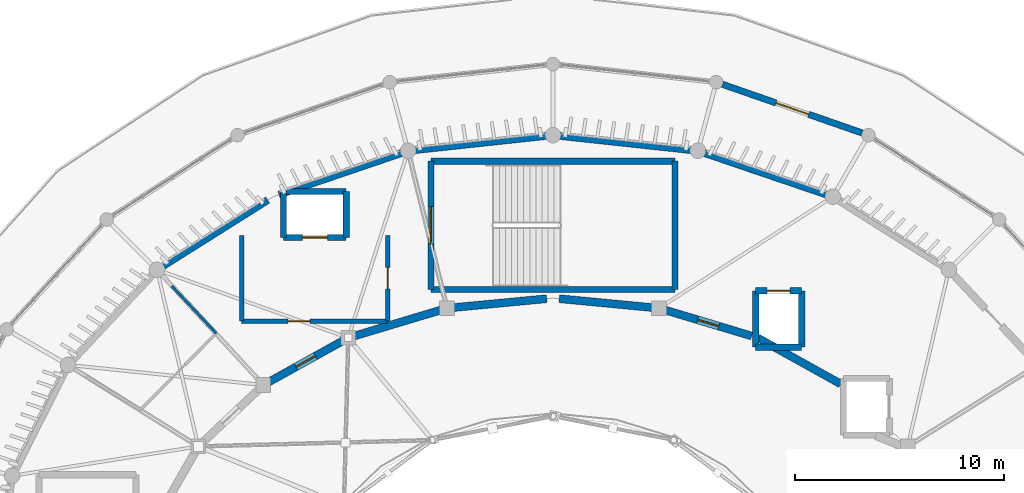
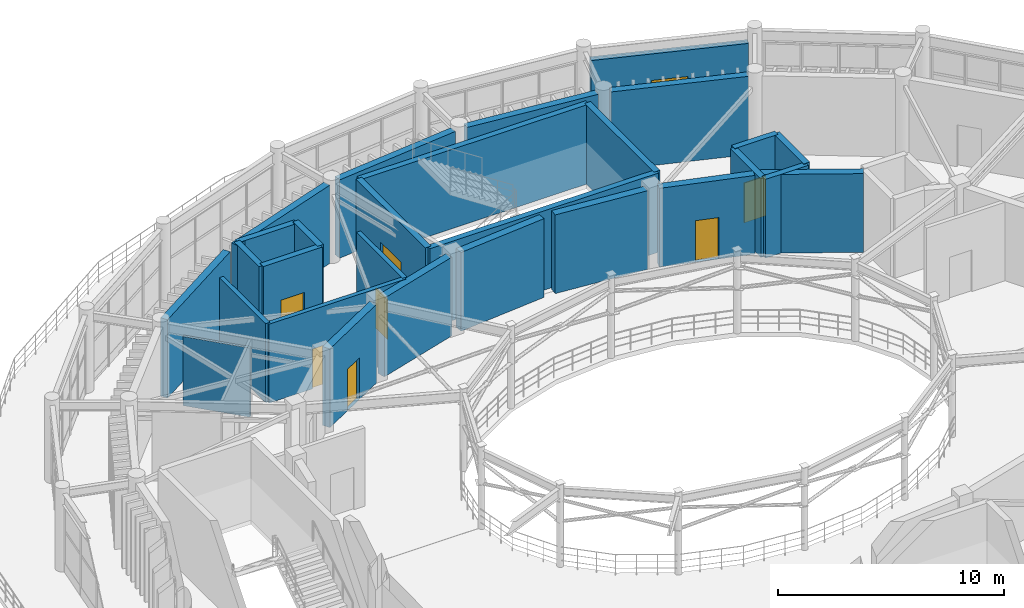
# One storey, part 26 of 45: 28 walls, 8 doors, 8 openings.
"""IFC4 building model written with IfcOpenShell, lengths in metres."""

import ifcopenshell
import ifcopenshell.guid

model = None  # the IFC model being written
_history = None  # IfcOwnerHistory: only IFC2X3 demands one
_inside = {}  # id of a spatial element -> (the spatial element, [elements in it])
_under = {}  # id of a project, library or spatial element -> (it, [spatial elements below it])
_declared = {}  # id of a project -> (the project, [libraries it declares])
_typed = {}  # id of a type object -> (the type object, [elements of that type])
_made_of = {}  # id of a material, layer set ... -> (it, [elements and type objects made of it])


def new_model(schema):
    """Start an empty IFC model of exactly this schema.

    Asked for "IFC4X3", IfcOpenShell would pick the latest addendum, in which some entities
    have other attributes; the version numbers below select the first issue.
    IFC2X3 requires an IfcOwnerHistory on every rooted entity: one is made here for all.
    """
    global model, _history
    if schema == "IFC4X3":
        model = ifcopenshell.file(schema_version=(4, 3, 0, 0))
    else:
        model = ifcopenshell.file(schema=schema)
    _inside.clear()
    _under.clear()
    _declared.clear()
    _typed.clear()
    _made_of.clear()
    _history = None
    if model.schema == "IFC2X3":
        org = make("IfcOrganization", Name="unknown")
        user = make(
            "IfcPersonAndOrganization",
            ThePerson=make("IfcPerson", FamilyName="unknown"),
            TheOrganization=org,
        )
        app = make(
            "IfcApplication",
            ApplicationDeveloper=org,
            Version="unknown",
            ApplicationFullName="unknown",
            ApplicationIdentifier="unknown",
        )
        _history = make(
            "IfcOwnerHistory",
            OwningUser=user,
            OwningApplication=app,
            ChangeAction="ADDED",
            CreationDate=0,
        )
    return model


def make(cls, **values):
    """One entity of the class cls with the attributes given. An attribute that is None is left unset."""
    return model.create_entity(
        cls, **{name: value for name, value in values.items() if value is not None}
    )


def rooted(cls, **values):
    """An entity with a GlobalId (a new one), such as an element, a storey or a relation."""
    return make(cls, GlobalId=ifcopenshell.guid.new(), OwnerHistory=_history, **values)


def si_unit(unit_type, name, prefix=None):
    """IfcSIUnit, for example si_unit("LENGTHUNIT", "METRE", prefix="MILLI")."""
    return make("IfcSIUnit", UnitType=unit_type, Prefix=prefix, Name=name)


def assignment(units):
    """IfcUnitAssignment: the units of a project."""
    return None if units is None else make("IfcUnitAssignment", Units=units)


def point(xyz):
    """IfcCartesianPoint."""
    return None if xyz is None else make("IfcCartesianPoint", Coordinates=xyz)


def direction(xyz):
    """IfcDirection."""
    return None if xyz is None else make("IfcDirection", DirectionRatios=xyz)


def frame(location, z_axis=None, x_axis=None):
    """IfcAxis2Placement3D, a coordinate frame: its origin and axes. An axis left out is left unset."""
    return make(
        "IfcAxis2Placement3D",
        Location=point(location),
        Axis=direction(z_axis),
        RefDirection=direction(x_axis),
    )


def frame_2d(location, x_axis=None):
    """IfcAxis2Placement2D, a coordinate frame in the plane: its origin and x axis."""
    return make(
        "IfcAxis2Placement2D", Location=point(location), RefDirection=direction(x_axis)
    )


def origin():
    """The frame at (0, 0, 0) with its axes left unset."""
    return frame((0.0, 0.0, 0.0))


def place(relative_to, where):
    """IfcLocalPlacement: puts the frame where relative to a parent placement (None: the world)."""
    return make(
        "IfcLocalPlacement", PlacementRelTo=relative_to, RelativePlacement=where
    )


def context(
    kind, dimensions, precision=None, world=None, true_north=None, identifier=None
):
    """IfcGeometricRepresentationContext, for example the 3D "Model" context."""
    return make(
        "IfcGeometricRepresentationContext",
        ContextIdentifier=identifier,
        ContextType=kind,
        CoordinateSpaceDimension=dimensions,
        Precision=precision,
        WorldCoordinateSystem=world,
        TrueNorth=true_north,
    )


def subcontext(parent, identifier, kind, view, scale=None):
    """IfcGeometricRepresentationSubContext, for example "Body" below "Model"."""
    return make(
        "IfcGeometricRepresentationSubContext",
        ContextIdentifier=identifier,
        ContextType=kind,
        ParentContext=parent,
        TargetScale=scale,
        TargetView=view,
    )


def project(units=None, contexts=None):
    """IfcProject with its units and contexts."""
    return rooted(
        "IfcProject",
        Name="project",
        RepresentationContexts=contexts,
        UnitsInContext=assignment(units),
    )


def spatial(cls, under=None, at=None, **own):
    """A site, building, storey or space (cls), placed at a placement, below another one or the project."""
    s = rooted(cls, ObjectPlacement=at, **own)
    if under is not None:
        _under.setdefault(under.id(), (under, []))[1].append(s)
    return s


def profile(cls, at=None, kind="AREA", **sizes):
    """A parametric profile (cls). Its sizes go by their IFC names, for example OverallWidth=200.0."""
    return make(cls, ProfileType=kind, Position=at, **sizes)


def rectangle(**sizes):
    """IfcRectangleProfileDef."""
    return profile("IfcRectangleProfileDef", **sizes)


def extrude(swept, where, along, depth):
    """IfcExtrudedAreaSolid: the profile swept, set in the frame where, extruded along a direction by depth."""
    return make(
        "IfcExtrudedAreaSolid",
        SweptArea=swept,
        Position=where,
        ExtrudedDirection=direction(along),
        Depth=depth,
    )


def shape(context_of_items, identifier, shape_type, items):
    """IfcShapeRepresentation: the items that make up one representation, for example the "Body"."""
    return make(
        "IfcShapeRepresentation",
        ContextOfItems=context_of_items,
        RepresentationIdentifier=identifier,
        RepresentationType=shape_type,
        Items=items,
    )


def material(Name=None, Category=None):
    """IfcMaterial."""
    return make("IfcMaterial", Name=Name, Category=Category)


def layer(
    of_material, thickness, ventilated=None, Name=None, Category=None, Priority=None
):
    """IfcMaterialLayer: one layer of a wall or slab, of a material (None: an air gap)."""
    return make(
        "IfcMaterialLayer",
        Material=of_material,
        LayerThickness=thickness,
        IsVentilated=ventilated,
        Name=Name,
        Category=Category,
        Priority=Priority,
    )


def layer_set(layers, Name=None):
    """IfcMaterialLayerSet."""
    return make("IfcMaterialLayerSet", MaterialLayers=layers, LayerSetName=Name)


def made_of(thing, what):
    """Note that an element or type object is made of a material, layer set ...; save() writes the relation."""
    if what is not None:
        _made_of.setdefault(what.id(), (what, []))[1].append(thing)
    return thing


def type_object(cls, material=None, **own):
    """A type object (cls), such as IfcWallType, which elements share."""
    return made_of(rooted(cls, **own), material)


def element(
    cls,
    number,
    at=None,
    inside=None,
    cuts=None,
    type_object=None,
    material=None,
    context=None,
    identifier="Body",
    shape_type=None,
    held_by="IfcProductDefinitionShape",
    body=None,
    shapes=None,
    **own,
):
    """One element of the class cls, such as IfcWall. Its Tag is "e" and its number.

    at: its placement. inside: the storey or other place that contains it. cuts: it is an
    opening in that element (IfcRelVoidsElement). A single representation is given by context,
    identifier, shape_type and body (its items); several are given by shapes. held_by: the class
    of the entity that holds the representations. save() writes the other relations.
    """
    e = rooted(cls, Tag="e%d" % number, ObjectPlacement=at, **own)
    if body is not None:
        shapes = [shape(context, identifier, shape_type, body)]
    if shapes is not None:
        e.Representation = make(held_by, Representations=shapes)
    if inside is not None:
        _inside.setdefault(inside.id(), (inside, []))[1].append(e)
    if cuts is not None:
        rooted(
            "IfcRelVoidsElement", RelatingBuildingElement=cuts, RelatedOpeningElement=e
        )
    if type_object is not None:
        _typed.setdefault(type_object.id(), (type_object, []))[1].append(e)
    return made_of(e, material)


def fill(opening, filler):
    """IfcRelFillsElement: the door or window that sits in an opening."""
    return rooted(
        "IfcRelFillsElement",
        RelatingOpeningElement=opening,
        RelatedBuildingElement=filler,
    )


def aggregate(whole, parts):
    """IfcRelAggregates: a whole, such as a stair, and the parts it consists of."""
    return rooted("IfcRelAggregates", RelatingObject=whole, RelatedObjects=parts)


def save(model, path):
    """Write the relations noted so far, then the file.

    IfcRelAggregates (storeys below a building ...), IfcRelContainedInSpatialStructure (elements
    in a storey), IfcRelDefinesByType, IfcRelAssociatesMaterial and IfcRelDeclares: one each for
    every whole, place, type object, material and project.
    """
    for whole, parts in _under.values():
        aggregate(whole, parts)
    for where, things in _inside.values():
        rooted(
            "IfcRelContainedInSpatialStructure",
            RelatedElements=things,
            RelatingStructure=where,
        )
    for kind, things in _typed.values():
        rooted("IfcRelDefinesByType", RelatedObjects=things, RelatingType=kind)
    for what, things in _made_of.values():
        rooted("IfcRelAssociatesMaterial", RelatedObjects=things, RelatingMaterial=what)
    for by, libraries in _declared.values():
        rooted("IfcRelDeclares", RelatingContext=by, RelatedDefinitions=libraries)
    model.write(path)


model = new_model("IFC4")

# Units and contexts
model_context = context("Model", 3, precision=1e-05, world=origin(), true_north=direction((0.0, 1.0)))
body_context = subcontext(model_context, "Body", "Model", "MODEL_VIEW")
ifc_project = project(units=[si_unit("LENGTHUNIT", "METRE"), si_unit("AREAUNIT", "SQUARE_METRE"), si_unit("VOLUMEUNIT", "CUBIC_METRE"), si_unit("PLANEANGLEUNIT", "RADIAN"), si_unit("MASSUNIT", "GRAM", prefix="KILO")], contexts=[model_context])

# Site, building, storey
site_placement = place(None, origin())
site = spatial("IfcSite", under=ifc_project, at=site_placement, CompositionType="ELEMENT")
building_placement = place(site_placement, origin())
building = spatial("IfcBuilding", under=site, at=building_placement, Name="Cinderbank Siding Concert Hall", CompositionType="ELEMENT")
storey_placement = place(building_placement, frame((0.0, 0.0, 19.199951171875)))
storey = spatial("IfcBuildingStorey", under=building, at=storey_placement, Name="L05", CompositionType="ELEMENT", Elevation=19.199951171875)

# Wall
ifc_material_1 = material(Name="Reinforced concrete AS 3600 N50 (50 MPa)", Category="concrete")
ifc_layer_1 = layer(ifc_material_1, 0.3798828125)
ifc_layer_set_1 = layer_set([ifc_layer_1], Name="Reinforced concrete AS 3600 N50 (50 MPa)")
wall_type_1 = type_object("IfcWallType", Name="WL-01 Structural Wall 380mm", PredefinedType="SOLIDWALL", material=ifc_layer_set_1)
wall_1_placement = place(storey_placement, frame((135.77197265625, 54.089599609375, 0.0), z_axis=(0.0, 0.0, 1.0), x_axis=(-0.874028004615, 0.485875546975, 0.0)))
element("IfcWall", 1, at=wall_1_placement, inside=storey, type_object=wall_type_1, Name="L05 Structural Wall SW-E1-L05-04", PredefinedType="SOLIDWALL", context=body_context, shape_type="SweptSolid", body=[
    extrude(rectangle(XDim=4.54443359375, YDim=0.3798828125, at=frame_2d((2.272216796875, 0.0))), origin(), (0.0, 0.0, 1.0), 4.25),
])

# Wall, opening, door
wall_2_placement = place(storey_placement, frame((131.5126953125, 56.3837890625, 0.0), z_axis=(0.0, 0.0, 1.0), x_axis=(-0.957796933165, 0.287445707604, 0.0)))
wall_2 = element("IfcWall", 2, at=wall_2_placement, inside=storey, type_object=wall_type_1, Name="L05 Structural Wall SW-E1-L05-05", PredefinedType="SOLIDWALL", context=body_context, shape_type="SweptSolid", body=[
    extrude(rectangle(XDim=4.350341796875, YDim=0.3798828125, at=frame_2d((2.17529296875, 0.0))), origin(), (0.0, 0.0, 1.0), 4.25),
])
opening_1_placement = place(wall_2_placement, frame((1.645263671875, 0.0, 0.0)))
opening_1 = element("IfcOpeningElement", 3, at=opening_1_placement, cuts=wall_2, Name="Opening D-18", PredefinedType="OPENING", context=body_context, shape_type="SweptSolid", body=[
    extrude(rectangle(XDim=1.06005859375, YDim=2.239990234375, at=frame_2d((0.530029296875, 1.1201171875))), frame((0.0, 0.201904296875, 0.0), z_axis=(0.0, -1.0, 0.0), x_axis=(1.0, 0.0, 0.0)), (0.0, 0.0, 1.0), 0.40380859375),
])
ifc_material_2 = material(Name="Solid-core spotted gum acoustic timber", Category="wood")
door_type_1 = type_object("IfcDoorType", Name="D-18 Interior Door 1060x2240", OperationType="NOTDEFINED", PredefinedType="DOOR", material=ifc_material_2)
door_1_placement = place(opening_1_placement, origin())
door_1 = element("IfcDoor", 4, at=door_1_placement, inside=storey, type_object=door_type_1, Name="L05 Auditorium Sound-Lock Door L05-D173", OperationType="SINGLE_SWING_RIGHT", OverallHeight=2.239990234375, OverallWidth=1.06005859375, PredefinedType="DOOR", context=body_context, shape_type="SweptSolid", body=[
    extrude(rectangle(XDim=1.06005859375, YDim=2.239990234375, at=frame_2d((0.530029296875, 1.1201171875))), frame((0.0, 0.02490234375, 0.0), z_axis=(0.0, -1.0, 0.0), x_axis=(1.0, 0.0, 0.0)), (0.0, 0.0, 1.0), 0.050048828125),
])
fill(opening_1, door_1)

# Walls
for number, where, z_axis, x_axis, name in (
    (5, (126.789306640625, 57.7431640625, 0.0), (0.0, 0.0, 1.0), (-0.995484276796, 0.094926575052, 0.0), "L05 Structural Wall SW-E1-L05-06"),
    (6, (121.701416015625, 58.17138671875, 0.0), (0.0, 0.0, 1.0), (-0.995484276796, -0.094926575052, 0.0), "L05 Structural Wall SW-E1-L05-07"),
):
    element("IfcWall", number, at=place(storey_placement, frame(where, z_axis=z_axis, x_axis=x_axis)), inside=storey, type_object=wall_type_1, Name=name, PredefinedType="SOLIDWALL", context=body_context, shape_type="SweptSolid", body=[
        extrude(rectangle(XDim=4.510986328125, YDim=0.3798828125, at=frame_2d((2.25537109375, 0.0))), origin(), (0.0, 0.0, 1.0), 4.25),
    ])
wall_3_placement = place(storey_placement, frame((116.654052734375, 57.63427734375, 0.0), z_axis=(0.0, 0.0, 1.0), x_axis=(-0.957792414988, -0.287460762177, 0.0)))
element("IfcWall", 7, at=wall_3_placement, inside=storey, type_object=wall_type_1, Name="L05 Structural Wall SW-E1-L05-08", PredefinedType="SOLIDWALL", context=body_context, shape_type="SweptSolid", body=[
    extrude(rectangle(XDim=4.365478515625, YDim=0.3798828125, at=frame_2d((2.1826171875, 0.0))), origin(), (0.0, 0.0, 1.0), 4.25),
])

# Wall, opening, door
wall_4_placement = place(storey_placement, frame((111.950927734375, 56.1591796875, 0.0), z_axis=(0.0, 0.0, 1.0), x_axis=(-0.87401308715, -0.485902380618, 0.0)))
wall_4 = element("IfcWall", 8, at=wall_4_placement, inside=storey, type_object=wall_type_1, Name="L05 Structural Wall SW-E1-L05-09", PredefinedType="SOLIDWALL", context=body_context, shape_type="SweptSolid", body=[
    extrude(rectangle(XDim=4.074462890625, YDim=0.3798828125, at=frame_2d((2.037109375, 0.0))), origin(), (0.0, 0.0, 1.0), 4.25),
])
opening_2_placement = place(wall_4_placement, frame((1.507080078125, 0.0, 0.0)))
opening_2 = element("IfcOpeningElement", 9, at=opening_2_placement, cuts=wall_4, Name="Opening D-18", PredefinedType="OPENING", context=body_context, shape_type="SweptSolid", body=[
    extrude(rectangle(XDim=1.06005859375, YDim=2.239990234375, at=frame_2d((0.530029296875, 1.1201171875))), frame((0.0, 0.201904296875, 0.0), z_axis=(0.0, -1.0, 0.0), x_axis=(1.0, 0.0, 0.0)), (0.0, 0.0, 1.0), 0.40380859375),
])
door_2_placement = place(opening_2_placement, origin())
door_2 = element("IfcDoor", 10, at=door_2_placement, inside=storey, type_object=door_type_1, Name="L05 Auditorium Sound-Lock Door L05-D174", OperationType="SINGLE_SWING_LEFT", OverallHeight=2.239990234375, OverallWidth=1.06005859375, PredefinedType="DOOR", context=body_context, shape_type="SweptSolid", body=[
    extrude(rectangle(XDim=1.06005859375, YDim=2.239990234375, at=frame_2d((0.530029296875, 1.1201171875))), frame((0.0, 0.02490234375, 0.0), z_axis=(0.0, -1.0, 0.0), x_axis=(1.0, 0.0, 0.0)), (0.0, 0.0, 1.0), 0.050048828125),
])
fill(opening_2, door_2)

# Walls
ifc_layer_2 = layer(ifc_material_1, 0.35009765625)
ifc_layer_set_2 = layer_set([ifc_layer_2], Name="Reinforced concrete AS 3600 N50 (50 MPa)")
wall_type_2 = type_object("IfcWallType", Name="WL-02 Structural Wall 350mm", PredefinedType="SHEAR", material=ifc_layer_set_2)
wall_5_placement = place(storey_placement, frame((135.1064453125, 63.15234375, 0.0), z_axis=(0.0, 0.0, 1.0), x_axis=(-0.946758358714, 0.321945042213, 0.0)))
element("IfcWall", 11, at=wall_5_placement, inside=storey, type_object=wall_type_2, Name="L05 Structural Wall SW-E2-L05-05", PredefinedType="SHEAR", context=body_context, shape_type="SweptSolid", body=[
    extrude(rectangle(XDim=6.20703125, YDim=0.35009765625, at=frame_2d((3.103515625, 0.0))), origin(), (0.0, 0.0, 1.0), 4.22998046875),
])
for number, where, z_axis, x_axis, name in (
    (12, (128.628173828125, 65.28369140625, 0.0), (0.0, 0.0, 1.0), (-0.99420948753, 0.107459270912, 0.0), "L05 Structural Wall SW-E2-L05-06"),
    (13, (121.69189453125, 65.966796875, 0.0), (0.0, 0.0, 1.0), (-0.99420948753, -0.107459270912, 0.0), "L05 Structural Wall SW-E2-L05-07"),
):
    element("IfcWall", number, at=place(storey_placement, frame(where, z_axis=z_axis, x_axis=x_axis)), inside=storey, type_object=wall_type_2, Name=name, PredefinedType="SHEAR", context=body_context, shape_type="SweptSolid", body=[
        extrude(rectangle(XDim=6.35693359375, YDim=0.35009765625, at=frame_2d((3.178466796875, 0.0))), origin(), (0.0, 0.0, 1.0), 4.22998046875),
    ])
wall_6_placement = place(storey_placement, frame((114.77001953125, 65.150634765625, 0.0), z_axis=(0.0, 0.0, 1.0), x_axis=(-0.946761494057, -0.321935821821, 0.0)))
element("IfcWall", 14, at=wall_6_placement, inside=storey, type_object=wall_type_2, Name="L05 Structural Wall SW-E2-L05-08", PredefinedType="SHEAR", context=body_context, shape_type="SweptSolid", body=[
    extrude(rectangle(XDim=6.217041015625, YDim=0.35009765625, at=frame_2d((3.1083984375, 0.0))), origin(), (0.0, 0.0, 1.0), 4.22998046875),
])
wall_7_placement = place(storey_placement, frame((108.34619140625, 62.892578125, 0.0), z_axis=(0.0, 0.0, 1.0), x_axis=(-0.846132783073, -0.532972150688, 0.0)))
element("IfcWall", 15, at=wall_7_placement, inside=storey, type_object=wall_type_2, Name="L05 Structural Wall SW-E2-L05-09", PredefinedType="SHEAR", context=body_context, shape_type="SweptSolid", body=[
    extrude(rectangle(XDim=5.949951171875, YDim=0.35009765625, at=frame_2d((2.97509765625, 0.0))), origin(), (0.0, 0.0, 1.0), 4.22998046875),
])

# Wall, opening, door
ifc_layer_3 = layer(ifc_material_1, 0.300048828125)
ifc_layer_set_3 = layer_set([ifc_layer_3], Name="Reinforced concrete AS 3600 N50 (50 MPa)")
wall_type_3 = type_object("IfcWallType", Name="WL-03 Structural Wall 300mm", PredefinedType="SHEAR", material=ifc_layer_set_3)
wall_8_placement = place(storey_placement, frame((116.159912109375, 58.610107421875, 0.0), z_axis=(0.0, 0.0, 1.0), x_axis=(0.0, 1.0, 0.0)))
wall_8 = element("IfcWall", 16, at=wall_8_placement, inside=storey, type_object=wall_type_3, Name="L05 ST-01 Core Wall ENTRY", PredefinedType="SHEAR", context=body_context, shape_type="SweptSolid", body=[
    extrude(rectangle(XDim=6.139892578125, YDim=0.300048828125, at=frame_2d((3.06982421875, 0.0))), origin(), (0.0, 0.0, 1.0), 4.280029296875),
])
opening_3_placement = place(wall_8_placement, frame((2.169921875, 0.0, 0.0)))
opening_3 = element("IfcOpeningElement", 17, at=opening_3_placement, cuts=wall_8, Name="Opening D-05", PredefinedType="OPENING", context=body_context, shape_type="SweptSolid", body=[
    extrude(rectangle(XDim=1.800048828125, YDim=2.199951171875, at=frame_2d((0.89990234375, 1.10009765625))), frame((0.0, 0.162109375, 0.0), z_axis=(0.0, -1.0, 0.0), x_axis=(1.0, 0.0, 0.0)), (0.0, 0.0, 1.0), 0.323974609375),
])
ifc_material_3 = material(Name="Galvanised sheet steel acoustic fire door assembly", Category="steel")
door_type_2 = type_object("IfcDoorType", Name="D-05 Interior Door 1800x2200", OperationType="DOUBLE_DOOR_SINGLE_SWING", PredefinedType="DOOR", material=ifc_material_3)
door_3_placement = place(opening_3_placement, origin())
door_3 = element("IfcDoor", 18, at=door_3_placement, inside=storey, type_object=door_type_2, Name="L05 ST-01 Fire Stair Door L05-D006", OperationType="DOUBLE_DOOR_SINGLE_SWING", OverallHeight=2.199951171875, OverallWidth=1.800048828125, PredefinedType="DOOR", context=body_context, shape_type="SweptSolid", body=[
    extrude(rectangle(XDim=1.800048828125, YDim=2.199951171875, at=frame_2d((0.89990234375, 1.10009765625))), frame((0.0, 0.02490234375, 0.0), z_axis=(0.0, -1.0, 0.0), x_axis=(1.0, 0.0, 0.0)), (0.0, 0.0, 1.0), 0.050048828125),
])
fill(opening_3, door_3)

# Walls
wall_9_placement = place(storey_placement, frame((127.840087890625, 64.75, 0.0), z_axis=(0.0, 0.0, 1.0), x_axis=(0.0, -1.0, 0.0)))
element("IfcWall", 19, at=wall_9_placement, inside=storey, type_object=wall_type_3, Name="L05 ST-01 Core Wall FAR", PredefinedType="SHEAR", context=body_context, shape_type="SweptSolid", body=[
    extrude(rectangle(XDim=6.139892578125, YDim=0.300048828125, at=frame_2d((3.06982421875, 0.0))), origin(), (0.0, 0.0, 1.0), 4.280029296875),
])
for number, where, z_axis, x_axis, name in (
    (20, (127.840087890625, 58.610107421875, 0.0), (0.0, 0.0, 1.0), (-1.0, 0.0, 0.0), "L05 ST-01 Core Wall SIDE1"),
    (21, (116.159912109375, 64.75, 0.0), (0.0, 0.0, 1.0), (1.0, 0.0, 0.0), "L05 ST-01 Core Wall SIDE2"),
):
    element("IfcWall", number, at=place(storey_placement, frame(where, z_axis=z_axis, x_axis=x_axis)), inside=storey, type_object=wall_type_3, Name=name, PredefinedType="SHEAR", context=body_context, shape_type="SweptSolid", body=[
        extrude(rectangle(XDim=11.68017578125, YDim=0.300048828125, at=frame_2d((5.840087890625, 0.0))), origin(), (0.0, 0.0, 1.0), 4.280029296875),
    ])
wall_10_placement = place(storey_placement, frame((133.89990234375, 55.85009765625, 0.0), z_axis=(0.0, 0.0, 1.0), x_axis=(-1.0, 0.0, 0.0)))
element("IfcWall", 22, at=wall_10_placement, inside=storey, type_object=wall_type_3, Name="L05 LF-01 Shaft Wall -Y", PredefinedType="SHEAR", context=body_context, shape_type="SweptSolid", body=[
    extrude(rectangle(XDim=2.199951171875, YDim=0.300048828125, at=frame_2d((1.10009765625, 0.0))), origin(), (0.0, 0.0, 1.0), 4.25),
])
wall_11_placement = place(storey_placement, frame((133.89990234375, 58.550048828125, 0.0), z_axis=(0.0, 0.0, 1.0), x_axis=(0.0, -1.0, 0.0)))
element("IfcWall", 23, at=wall_11_placement, inside=storey, type_object=wall_type_3, Name="L05 LF-01 Shaft Wall +X", PredefinedType="SHEAR", context=body_context, shape_type="SweptSolid", body=[
    extrude(rectangle(XDim=2.699951171875, YDim=0.300048828125, at=frame_2d((1.35009765625, 0.0))), origin(), (0.0, 0.0, 1.0), 4.280029296875),
])

# Wall, opening, door
wall_12_placement = place(storey_placement, frame((131.699951171875, 58.550048828125, 0.0), z_axis=(0.0, 0.0, 1.0), x_axis=(1.0, 0.0, 0.0)))
wall_12 = element("IfcWall", 24, at=wall_12_placement, inside=storey, type_object=wall_type_3, Name="L05 LF-01 Shaft Wall +Y", PredefinedType="SHEAR", context=body_context, shape_type="SweptSolid", body=[
    extrude(rectangle(XDim=2.199951171875, YDim=0.300048828125, at=frame_2d((1.10009765625, 0.0))), origin(), (0.0, 0.0, 1.0), 4.280029296875),
])
opening_4_placement = place(wall_12_placement, frame((0.550048828125, 0.0, 0.0)))
opening_4 = element("IfcOpeningElement", 25, at=opening_4_placement, cuts=wall_12, Name="Opening LD-01", PredefinedType="OPENING", context=body_context, shape_type="SweptSolid", body=[
    extrude(rectangle(XDim=1.10009765625, YDim=2.14990234375, at=frame_2d((0.550048828125, 1.074951171875))), frame((0.0, 0.162109375, 0.0), z_axis=(0.0, -1.0, 0.0), x_axis=(1.0, 0.0, 0.0)), (0.0, 0.0, 1.0), 0.323974609375),
])
door_type_3 = type_object("IfcDoorType", Name="LD-01 Interior Door 1100x2150", OperationType="DOUBLE_DOOR_SLIDING", PredefinedType="DOOR", material=ifc_material_3)
door_4_placement = place(opening_4_placement, origin())
door_4 = element("IfcDoor", 26, at=door_4_placement, inside=storey, type_object=door_type_3, Name="L05 LF-01 Sliding Landing Door", OperationType="DOUBLE_DOOR_SLIDING", OverallHeight=2.14990234375, OverallWidth=1.10009765625, PredefinedType="DOOR", context=body_context, shape_type="SweptSolid", body=[
    extrude(rectangle(XDim=1.10009765625, YDim=2.14990234375, at=frame_2d((0.550048828125, 1.074951171875))), frame((0.0, 0.02490234375, 0.0), z_axis=(0.0, -1.0, 0.0), x_axis=(1.0, 0.0, 0.0)), (0.0, 0.0, 1.0), 0.050048828125),
])
fill(opening_4, door_4)

# Wall
wall_13_placement = place(storey_placement, frame((131.699951171875, 55.85009765625, 0.0), z_axis=(0.0, 0.0, 1.0), x_axis=(0.0, 1.0, 0.0)))
element("IfcWall", 27, at=wall_13_placement, inside=storey, type_object=wall_type_3, Name="L05 LF-01 Shaft Wall -X", PredefinedType="SHEAR", context=body_context, shape_type="SweptSolid", body=[
    extrude(rectangle(XDim=2.699951171875, YDim=0.300048828125, at=frame_2d((1.35009765625, 0.0))), origin(), (0.0, 0.0, 1.0), 4.25),
])

# Wall, opening, door
wall_14_placement = place(storey_placement, frame((112.10009765625, 61.10009765625, 0.0), z_axis=(0.0, 0.0, 1.0), x_axis=(-1.0, 0.0, 0.0)))
wall_14 = element("IfcWall", 28, at=wall_14_placement, inside=storey, type_object=wall_type_3, Name="L05 LF-04 Shaft Wall -Y", PredefinedType="SHEAR", context=body_context, shape_type="SweptSolid", body=[
    extrude(rectangle(XDim=3.0, YDim=0.300048828125, at=frame_2d((1.5, 0.0))), origin(), (0.0, 0.0, 1.0), 4.280029296875),
])
opening_5_placement = place(wall_14_placement, frame((0.89990234375, 0.0, 0.0)))
opening_5 = element("IfcOpeningElement", 29, at=opening_5_placement, cuts=wall_14, Name="Opening LD-02", PredefinedType="OPENING", context=body_context, shape_type="SweptSolid", body=[
    extrude(rectangle(XDim=1.199951171875, YDim=2.14990234375, at=frame_2d((0.60009765625, 1.074951171875))), frame((0.0, 0.162109375, 0.0), z_axis=(0.0, -1.0, 0.0), x_axis=(1.0, 0.0, 0.0)), (0.0, 0.0, 1.0), 0.323974609375),
])
door_type_4 = type_object("IfcDoorType", Name="LD-02 Interior Door 1200x2150", OperationType="DOUBLE_DOOR_SLIDING", PredefinedType="DOOR", material=ifc_material_3)
door_5_placement = place(opening_5_placement, origin())
door_5 = element("IfcDoor", 30, at=door_5_placement, inside=storey, type_object=door_type_4, Name="L05 LF-04 Sliding Landing Door", OperationType="DOUBLE_DOOR_SLIDING", OverallHeight=2.14990234375, OverallWidth=1.199951171875, PredefinedType="DOOR", context=body_context, shape_type="SweptSolid", body=[
    extrude(rectangle(XDim=1.199951171875, YDim=2.14990234375, at=frame_2d((0.60009765625, 1.074951171875))), frame((0.0, 0.02490234375, 0.0), z_axis=(0.0, -1.0, 0.0), x_axis=(1.0, 0.0, 0.0)), (0.0, 0.0, 1.0), 0.050048828125),
])
fill(opening_5, door_5)

# Walls
wall_15_placement = place(storey_placement, frame((112.10009765625, 63.300048828125, 0.0), z_axis=(0.0, 0.0, 1.0), x_axis=(0.0, -1.0, 0.0)))
element("IfcWall", 31, at=wall_15_placement, inside=storey, type_object=wall_type_3, Name="L05 LF-04 Shaft Wall +X", PredefinedType="SHEAR", context=body_context, shape_type="SweptSolid", body=[
    extrude(rectangle(XDim=2.199951171875, YDim=0.300048828125, at=frame_2d((1.10009765625, 0.0))), origin(), (0.0, 0.0, 1.0), 4.280029296875),
])
wall_16_placement = place(storey_placement, frame((109.10009765625, 63.300048828125, 0.0), z_axis=(0.0, 0.0, 1.0), x_axis=(1.0, 0.0, 0.0)))
element("IfcWall", 32, at=wall_16_placement, inside=storey, type_object=wall_type_3, Name="L05 LF-04 Shaft Wall +Y", PredefinedType="SHEAR", context=body_context, shape_type="SweptSolid", body=[
    extrude(rectangle(XDim=3.0, YDim=0.300048828125, at=frame_2d((1.5, 0.0))), origin(), (0.0, 0.0, 1.0), 4.22998046875),
])
wall_17_placement = place(storey_placement, frame((109.10009765625, 61.10009765625, 0.0), z_axis=(0.0, 0.0, 1.0), x_axis=(0.0, 1.0, 0.0)))
element("IfcWall", 33, at=wall_17_placement, inside=storey, type_object=wall_type_3, Name="L05 LF-04 Shaft Wall -X", PredefinedType="SHEAR", context=body_context, shape_type="SweptSolid", body=[
    extrude(rectangle(XDim=2.199951171875, YDim=0.300048828125, at=frame_2d((1.10009765625, 0.0))), origin(), (0.0, 0.0, 1.0), 4.22998046875),
])

# Wall, opening, door
ifc_layer_4 = layer(ifc_material_1, 0.219970703125)
ifc_layer_set_4 = layer_set([ifc_layer_4], Name="Reinforced concrete AS 3600 N50 (50 MPa)")
wall_type_4 = type_object("IfcWallType", Name="WL-06 Interior Wall 220mm", PredefinedType="SOLIDWALL", material=ifc_layer_set_4)
wall_18_placement = place(storey_placement, frame((114.10009765625, 57.10009765625, 0.0), z_axis=(0.0, 0.0, 1.0), x_axis=(-1.0, 0.0, 0.0)))
wall_18 = element("IfcWall", 34, at=wall_18_placement, inside=storey, type_object=wall_type_4, Name="L05 Firefighting Lobby Wall FFLN-S", PredefinedType="SOLIDWALL", context=body_context, shape_type="SweptSolid", body=[
    extrude(rectangle(XDim=7.0, YDim=0.219970703125, at=frame_2d((3.5, 0.0))), origin(), (0.0, 0.0, 1.0), 4.26513671875),
])
opening_6_placement = place(wall_18_placement, frame((3.72509765625, 0.0, 0.0)))
opening_6 = element("IfcOpeningElement", 35, at=opening_6_placement, cuts=wall_18, Name="Opening D-02", PredefinedType="OPENING", context=body_context, shape_type="SweptSolid", body=[
    extrude(rectangle(XDim=1.050048828125, YDim=2.14990234375, at=frame_2d((0.52490234375, 1.074951171875))), frame((0.0, 0.1220703125, 0.0), z_axis=(0.0, -1.0, 0.0), x_axis=(1.0, 0.0, 0.0)), (0.0, 0.0, 1.0), 0.243896484375),
])
door_type_5 = type_object("IfcDoorType", Name="D-02 Interior Door 1050x2150", OperationType="NOTDEFINED", PredefinedType="DOOR", material=ifc_material_3)
door_6_placement = place(opening_6_placement, origin())
door_6 = element("IfcDoor", 36, at=door_6_placement, inside=storey, type_object=door_type_5, Name="L05 Firefighting Lobby Door L05-D082", OperationType="SINGLE_SWING_LEFT", OverallHeight=2.14990234375, OverallWidth=1.050048828125, PredefinedType="DOOR", context=body_context, shape_type="SweptSolid", body=[
    extrude(rectangle(XDim=1.050048828125, YDim=2.14990234375, at=frame_2d((0.52490234375, 1.074951171875))), frame((0.0, 0.02490234375, 0.0), z_axis=(0.0, -1.0, 0.0), x_axis=(1.0, 0.0, 0.0)), (0.0, 0.0, 1.0), 0.050048828125),
])
fill(opening_6, door_6)

# Wall
wall_19_placement = place(storey_placement, frame((107.10009765625, 57.10009765625, 0.0), z_axis=(0.0, 0.0, 1.0), x_axis=(0.0, 1.0, 0.0)))
element("IfcWall", 37, at=wall_19_placement, inside=storey, type_object=wall_type_4, Name="L05 Firefighting Lobby Wall FFLN-W", PredefinedType="SOLIDWALL", context=body_context, shape_type="SweptSolid", body=[
    extrude(rectangle(XDim=4.099853515625, YDim=0.219970703125, at=frame_2d((2.0498046875, 0.0))), origin(), (0.0, 0.0, 1.0), 4.26513671875),
])

# Wall, opening, door
wall_20_placement = place(storey_placement, frame((114.10009765625, 61.199951171875, 0.0), z_axis=(0.0, 0.0, 1.0), x_axis=(0.0, -1.0, 0.0)))
wall_20 = element("IfcWall", 38, at=wall_20_placement, inside=storey, type_object=wall_type_4, Name="L05 Firefighting Lobby Wall FFLN-E", PredefinedType="SOLIDWALL", context=body_context, shape_type="SweptSolid", body=[
    extrude(rectangle(XDim=4.099853515625, YDim=0.219970703125, at=frame_2d((2.0498046875, 0.0))), origin(), (0.0, 0.0, 1.0), 4.26513671875),
])
opening_7_placement = place(wall_20_placement, frame((1.52490234375, 0.0, 0.0)))
opening_7 = element("IfcOpeningElement", 39, at=opening_7_placement, cuts=wall_20, Name="Opening D-02", PredefinedType="OPENING", context=body_context, shape_type="SweptSolid", body=[
    extrude(rectangle(XDim=1.050048828125, YDim=2.14990234375, at=frame_2d((0.52490234375, 1.074951171875))), frame((0.0, 0.1220703125, 0.0), z_axis=(0.0, -1.0, 0.0), x_axis=(1.0, 0.0, 0.0)), (0.0, 0.0, 1.0), 0.243896484375),
])
door_7_placement = place(opening_7_placement, origin())
door_7 = element("IfcDoor", 40, at=door_7_placement, inside=storey, type_object=door_type_5, Name="L05 Firefighting Lobby Door L05-D083", OperationType="SINGLE_SWING_RIGHT", OverallHeight=2.14990234375, OverallWidth=1.050048828125, PredefinedType="DOOR", context=body_context, shape_type="SweptSolid", body=[
    extrude(rectangle(XDim=1.050048828125, YDim=2.14990234375, at=frame_2d((0.52490234375, 1.074951171875))), frame((0.0, 0.02490234375, 0.0), z_axis=(0.0, -1.0, 0.0), x_axis=(1.0, 0.0, 0.0)), (0.0, 0.0, 1.0), 0.050048828125),
])
fill(opening_7, door_7)

ifc_material_4 = material(Name="Clinker clay brickwork masonry AS 3700 (20 MPa)", Category="masonry")
ifc_layer_5 = layer(ifc_material_4, 0.31005859375)
ifc_layer_set_5 = layer_set([ifc_layer_5], Name="Clinker clay brickwork masonry AS 3700 (20 MPa)")
wall_type_5 = type_object("IfcWallType", Name="WL-08 Exterior Wall 310mm", PredefinedType="STANDARD", material=ifc_layer_set_5)
wall_21_placement = place(storey_placement, frame((130.10888671875, 68.4326171875, 0.0), z_axis=(0.0, 0.0, 1.0), x_axis=(0.944339745317, -0.328971800333, 0.0)))
wall_21 = element("IfcWall", 41, at=wall_21_placement, inside=storey, type_object=wall_type_5, Name="L05 Facade Wall EW-E3-L05-05", PredefinedType="STANDARD", context=body_context, shape_type="SweptSolid", body=[
    extrude(rectangle(XDim=7.09326171875, YDim=0.31005859375, at=frame_2d((3.546630859375, 0.0))), origin(), (0.0, 0.0, 1.0), 3.610107421875),
])
opening_8_placement = place(wall_21_placement, frame((2.721435546875, 0.0, 0.0)))
opening_8 = element("IfcOpeningElement", 42, at=opening_8_placement, cuts=wall_21, Name="Opening TD-03", PredefinedType="OPENING", context=body_context, shape_type="SweptSolid", body=[
    extrude(rectangle(XDim=1.64990234375, YDim=2.179931640625, at=frame_2d((0.824951171875, 1.08984375))), frame((0.0, 0.1669921875, 0.0), z_axis=(0.0, -1.0, 0.0), x_axis=(1.0, 0.0, 0.0)), (0.0, 0.0, 1.0), 0.333984375),
])
door_type_6 = type_object("IfcDoorType", Name="TD-03 Exterior Door 1650x2180", OperationType="DOUBLE_DOOR_SINGLE_SWING", PredefinedType="DOOR", material=ifc_material_2)
door_8_placement = place(opening_8_placement, origin())
door_8 = element("IfcDoor", 43, at=door_8_placement, inside=storey, type_object=door_type_6, Name="L05 Foyer Terrace Door S05", OperationType="DOUBLE_DOOR_SINGLE_SWING", OverallHeight=2.179931640625, OverallWidth=1.64990234375, PredefinedType="DOOR", context=body_context, shape_type="SweptSolid", body=[
    extrude(rectangle(XDim=1.64990234375, YDim=2.179931640625, at=frame_2d((0.824951171875, 1.08984375))), frame((0.0, 0.02490234375, 0.0), z_axis=(0.0, -1.0, 0.0), x_axis=(1.0, 0.0, 0.0)), (0.0, 0.0, 1.0), 0.050048828125),
])
fill(opening_8, door_8)

# Wall
ifc_material_5 = material(Name="Acoustic plasterboard on light-gauge steel studs", Category="gypsum")
ifc_layer_6 = layer(ifc_material_5, 0.1298828125)
ifc_layer_set_6 = layer_set([ifc_layer_6], Name="Acoustic plasterboard on light-gauge steel studs")
wall_type_6 = type_object("IfcWallType", Name="WL-17 Interior Wall 130mm", PredefinedType="PARTITIONING", material=ifc_layer_set_6)
wall_22_placement = place(storey_placement, frame((105.8779296875, 56.515869140625, 0.0), z_axis=(0.0, 0.0, 1.0), x_axis=(-0.683951602278, 0.72952738519, 0.0)))
element("IfcWall", 44, at=wall_22_placement, inside=storey, type_object=wall_type_6, Name="L05 WC Radial Demising Wall R10", PredefinedType="PARTITIONING", context=body_context, shape_type="SweptSolid", body=[
    extrude(rectangle(XDim=3.1015625, YDim=0.1298828125, at=frame_2d((1.55078125, 0.0))), origin(), (0.0, 0.0, 1.0), 3.734130859375),
])

save(model, "model.ifc")
